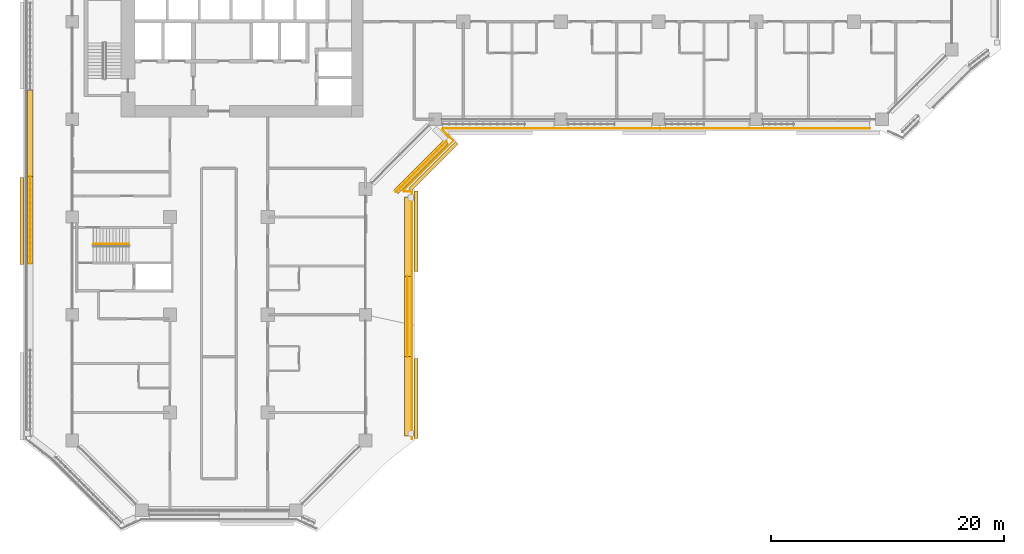
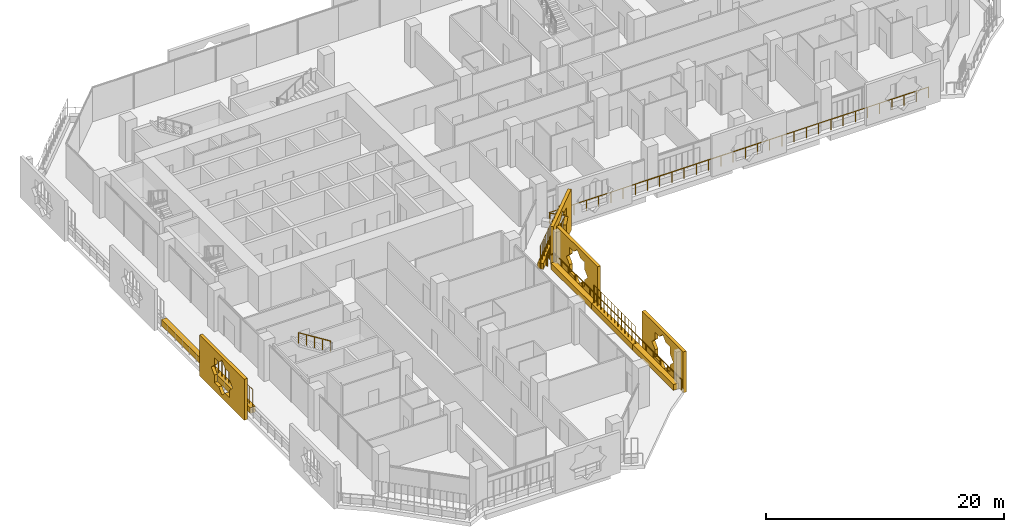
# One storey, part 20 of 26: 10 coverings, 5 railings.
"""IFC4 building model written with IfcOpenShell, lengths in metres."""

from ifc_helpers import new_model, si_unit, direction, frame, origin, origin_2d, place, context, subcontext, project, spatial, polyline, rectangle, circle, outline, extrude, material, material_profile, profile_set, type_object, element, save


model = new_model("IFC4")

# Units and contexts
model_context = context("Model", 3, precision=1e-05, world=origin(), true_north=direction((0.0, 1.0)))
body_context = subcontext(model_context, "Body", "Model", "MODEL_VIEW")
ifc_project = project(units=[si_unit("LENGTHUNIT", "METRE"), si_unit("AREAUNIT", "SQUARE_METRE"), si_unit("VOLUMEUNIT", "CUBIC_METRE"), si_unit("PLANEANGLEUNIT", "RADIAN"), si_unit("MASSUNIT", "GRAM", prefix="KILO")], contexts=[model_context])

# Site, building, storey
site_placement = place(None, origin())
site = spatial("IfcSite", under=ifc_project, at=site_placement, CompositionType="ELEMENT")
building_placement = place(site_placement, origin())
building = spatial("IfcBuilding", under=site, at=building_placement, Name="Kawkab Arch Medical Tower", CompositionType="ELEMENT")
storey_placement = place(building_placement, frame((0.0, 0.0, 119.800048828125)))
storey = spatial("IfcBuildingStorey", under=building, at=storey_placement, Name="L27", CompositionType="ELEMENT", Elevation=119.800048828125)

# Railing
ifc_material_1 = material(Name="Bronze anodised aluminium guard", Category="aluminium")
railing_type_1 = type_object("IfcRailingType", Name="Loggia and terrace guard 1100", PredefinedType="GUARDRAIL", material=ifc_material_1)
railing_1_placement = place(storey_placement, frame((68.570068359375, -26.0, 0.0)))
element("IfcRailing", 1, at=railing_1_placement, inside=storey, type_object=railing_type_1, Name="Guard L27.LOG-01.1.8", PredefinedType="GUARDRAIL", context=body_context, shape_type="SweptSolid", body=[
    extrude(circle(Radius=0.02392578125, at=origin_2d()), frame((0.0, 0.0, 1.076171875), z_axis=(-1.0, 0.0, 0.0), x_axis=(0.0, -1.0, 0.0)), (0.0, 0.0, 1.0), 36.719970703125),
    extrude(circle(Radius=0.02392578125, at=origin_2d()), frame((-36.719970703125, 0.0, 1.076171875), z_axis=(-0.383763674343, -0.923431341387, 0.0), x_axis=(0.923431341387, -0.383763674343, 0.0)), (0.0, 0.0, 1.0), 0.101806640625),
    extrude(circle(Radius=0.02392578125, at=origin_2d()), frame((-36.759033203125, -0.093994140625, 1.076171875), z_axis=(0.707015335112, -0.707198215437, 0.0), x_axis=(0.707198215437, 0.707015335112, 0.0)), (0.0, 0.0, 1.0), 1.3349609375),
    extrude(circle(Radius=0.02392578125, at=origin_2d()), frame((-35.815185546875, -1.0380859375, 1.076171875), z_axis=(-0.707025867263, -0.707187685852, 0.0), x_axis=(0.707187685852, -0.707025867263, 0.0)), (0.0, 0.0, 1.0), 6.034912109375),
    extrude(circle(Radius=0.02392578125, at=origin_2d()), frame((-40.08203125, -5.305908203125, 1.076171875), z_axis=(0.383763674343, -0.923431341387, 0.0), x_axis=(0.923431341387, 0.383763674343, 0.0)), (0.0, 0.0, 1.0), 0.101806640625),
    extrude(circle(Radius=0.02392578125, at=origin_2d()), frame((-40.04296875, -5.39990234375, 1.076171875), z_axis=(1.0, 0.0, 0.0), x_axis=(0.0, 1.0, 0.0)), (0.0, 0.0, 1.0), 0.6728515625),
    extrude(circle(Radius=0.02392578125, at=origin_2d()), frame((-39.3701171875, -5.39990234375, 1.076171875), z_axis=(0.0, -1.0, 0.0), x_axis=(1.0, 0.0, 0.0)), (0.0, 0.0, 1.0), 21.302001953125),
    extrude(circle(Radius=0.02099609375, at=origin_2d()), origin(), (0.0, 0.0, 1.0), 1.052001953125),
    extrude(circle(Radius=0.02099609375, at=origin_2d()), frame((-1.1845703125, 0.0, 0.0)), (0.0, 0.0, 1.0), 1.052001953125),
    extrude(circle(Radius=0.02099609375, at=origin_2d()), frame((-2.369140625, 0.0, 0.0)), (0.0, 0.0, 1.0), 1.052001953125),
    extrude(circle(Radius=0.02099609375, at=origin_2d()), frame((-3.553466796875, 0.0, 0.0)), (0.0, 0.0, 1.0), 1.052001953125),
    extrude(circle(Radius=0.02099609375, at=origin_2d()), frame((-4.738037109375, 0.0, 0.0)), (0.0, 0.0, 1.0), 1.052001953125),
    extrude(circle(Radius=0.02099609375, at=origin_2d()), frame((-5.922607421875, 0.0, 0.0)), (0.0, 0.0, 1.0), 1.052001953125),
    extrude(circle(Radius=0.02099609375, at=origin_2d()), frame((-7.107177734375, 0.0, 0.0)), (0.0, 0.0, 1.0), 1.052001953125),
    extrude(circle(Radius=0.02099609375, at=origin_2d()), frame((-8.29150390625, 0.0, 0.0)), (0.0, 0.0, 1.0), 1.052001953125),
    extrude(circle(Radius=0.02099609375, at=origin_2d()), frame((-9.47607421875, 0.0, 0.0)), (0.0, 0.0, 1.0), 1.052001953125),
    extrude(circle(Radius=0.02099609375, at=origin_2d()), frame((-10.66064453125, 0.0, 0.0)), (0.0, 0.0, 1.0), 1.052001953125),
    extrude(circle(Radius=0.02099609375, at=origin_2d()), frame((-11.84521484375, 0.0, 0.0)), (0.0, 0.0, 1.0), 1.052001953125),
    extrude(circle(Radius=0.02099609375, at=origin_2d()), frame((-13.02978515625, 0.0, 0.0)), (0.0, 0.0, 1.0), 1.052001953125),
    extrude(circle(Radius=0.02099609375, at=origin_2d()), frame((-14.214111328125, 0.0, 0.0)), (0.0, 0.0, 1.0), 1.052001953125),
    extrude(circle(Radius=0.02099609375, at=origin_2d()), frame((-15.398681640625, 0.0, 0.0)), (0.0, 0.0, 1.0), 1.052001953125),
    extrude(circle(Radius=0.02099609375, at=origin_2d()), frame((-16.583251953125, 0.0, 0.0)), (0.0, 0.0, 1.0), 1.052001953125),
    extrude(circle(Radius=0.02099609375, at=origin_2d()), frame((-17.767822265625, 0.0, 0.0)), (0.0, 0.0, 1.0), 1.052001953125),
    extrude(circle(Radius=0.02099609375, at=origin_2d()), frame((-18.9521484375, 0.0, 0.0)), (0.0, 0.0, 1.0), 1.052001953125),
    extrude(circle(Radius=0.02099609375, at=origin_2d()), frame((-20.13671875, 0.0, 0.0)), (0.0, 0.0, 1.0), 1.052001953125),
    extrude(circle(Radius=0.02099609375, at=origin_2d()), frame((-21.3212890625, 0.0, 0.0)), (0.0, 0.0, 1.0), 1.052001953125),
    extrude(circle(Radius=0.02099609375, at=origin_2d()), frame((-22.505859375, 0.0, 0.0)), (0.0, 0.0, 1.0), 1.052001953125),
    extrude(circle(Radius=0.02099609375, at=origin_2d()), frame((-23.690185546875, 0.0, 0.0)), (0.0, 0.0, 1.0), 1.052001953125),
    extrude(circle(Radius=0.02099609375, at=origin_2d()), frame((-24.874755859375, 0.0, 0.0)), (0.0, 0.0, 1.0), 1.052001953125),
    extrude(circle(Radius=0.02099609375, at=origin_2d()), frame((-26.059326171875, 0.0, 0.0)), (0.0, 0.0, 1.0), 1.052001953125),
    extrude(circle(Radius=0.02099609375, at=origin_2d()), frame((-27.243896484375, 0.0, 0.0)), (0.0, 0.0, 1.0), 1.052001953125),
    extrude(circle(Radius=0.02099609375, at=origin_2d()), frame((-28.428466796875, 0.0, 0.0)), (0.0, 0.0, 1.0), 1.052001953125),
    extrude(circle(Radius=0.02099609375, at=origin_2d()), frame((-29.61279296875, 0.0, 0.0)), (0.0, 0.0, 1.0), 1.052001953125),
    extrude(circle(Radius=0.02099609375, at=origin_2d()), frame((-30.79736328125, 0.0, 0.0)), (0.0, 0.0, 1.0), 1.052001953125),
    extrude(circle(Radius=0.02099609375, at=origin_2d()), frame((-31.98193359375, 0.0, 0.0)), (0.0, 0.0, 1.0), 1.052001953125),
    extrude(circle(Radius=0.02099609375, at=origin_2d()), frame((-33.16650390625, 0.0, 0.0)), (0.0, 0.0, 1.0), 1.052001953125),
    extrude(circle(Radius=0.02099609375, at=origin_2d()), frame((-34.350830078125, 0.0, 0.0)), (0.0, 0.0, 1.0), 1.052001953125),
    extrude(circle(Radius=0.02099609375, at=origin_2d()), frame((-35.535400390625, 0.0, 0.0)), (0.0, 0.0, 1.0), 1.052001953125),
    extrude(circle(Radius=0.02099609375, at=origin_2d()), frame((-36.719970703125, 0.0, 0.0)), (0.0, 0.0, 1.0), 1.052001953125),
    extrude(circle(Radius=0.02099609375, at=origin_2d()), frame((-36.759033203125, -0.093994140625, 0.0)), (0.0, 0.0, 1.0), 1.052001953125),
    extrude(circle(Radius=0.02099609375, at=origin_2d()), frame((-36.287109375, -0.56591796875, 0.0)), (0.0, 0.0, 1.0), 1.052001953125),
    extrude(circle(Radius=0.02099609375, at=origin_2d()), frame((-35.815185546875, -1.0380859375, 0.0)), (0.0, 0.0, 1.0), 1.052001953125),
    extrude(circle(Radius=0.02099609375, at=origin_2d()), frame((-36.5263671875, -1.74951171875, 0.0)), (0.0, 0.0, 1.0), 1.052001953125),
    extrude(circle(Radius=0.02099609375, at=origin_2d()), frame((-37.237548828125, -2.460693359375, 0.0)), (0.0, 0.0, 1.0), 1.052001953125),
    extrude(circle(Radius=0.02099609375, at=origin_2d()), frame((-37.94873046875, -3.171875, 0.0)), (0.0, 0.0, 1.0), 1.052001953125),
    extrude(circle(Radius=0.02099609375, at=origin_2d()), frame((-38.65966796875, -3.88330078125, 0.0)), (0.0, 0.0, 1.0), 1.052001953125),
    extrude(circle(Radius=0.02099609375, at=origin_2d()), frame((-39.370849609375, -4.5947265625, 0.0)), (0.0, 0.0, 1.0), 1.052001953125),
    extrude(circle(Radius=0.02099609375, at=origin_2d()), frame((-40.08203125, -5.305908203125, 0.0)), (0.0, 0.0, 1.0), 1.052001953125),
    extrude(circle(Radius=0.02099609375, at=origin_2d()), frame((-40.04296875, -5.39990234375, 0.0)), (0.0, 0.0, 1.0), 1.052001953125),
    extrude(circle(Radius=0.02099609375, at=origin_2d()), frame((-39.3701171875, -5.39990234375, 0.0)), (0.0, 0.0, 1.0), 1.052001953125),
    extrude(circle(Radius=0.02099609375, at=origin_2d()), frame((-39.3701171875, -6.583251953125, 0.0)), (0.0, 0.0, 1.0), 1.052001953125),
    extrude(circle(Radius=0.02099609375, at=origin_2d()), frame((-39.3701171875, -7.766845703125, 0.0)), (0.0, 0.0, 1.0), 1.052001953125),
    extrude(circle(Radius=0.02099609375, at=origin_2d()), frame((-39.3701171875, -8.9501953125, 0.0)), (0.0, 0.0, 1.0), 1.052001953125),
    extrude(circle(Radius=0.02099609375, at=origin_2d()), frame((-39.3701171875, -10.1337890625, 0.0)), (0.0, 0.0, 1.0), 1.052001953125),
    extrude(circle(Radius=0.02099609375, at=origin_2d()), frame((-39.3701171875, -11.317138671875, 0.0)), (0.0, 0.0, 1.0), 1.052001953125),
    extrude(circle(Radius=0.02099609375, at=origin_2d()), frame((-39.3701171875, -12.50048828125, 0.0)), (0.0, 0.0, 1.0), 1.052001953125),
    extrude(circle(Radius=0.02099609375, at=origin_2d()), frame((-39.3701171875, -13.68408203125, 0.0)), (0.0, 0.0, 1.0), 1.052001953125),
    extrude(circle(Radius=0.02099609375, at=origin_2d()), frame((-39.3701171875, -14.867431640625, 0.0)), (0.0, 0.0, 1.0), 1.052001953125),
    extrude(circle(Radius=0.02099609375, at=origin_2d()), frame((-39.3701171875, -16.05078125, 0.0)), (0.0, 0.0, 1.0), 1.052001953125),
    extrude(circle(Radius=0.02099609375, at=origin_2d()), frame((-39.3701171875, -17.234375, 0.0)), (0.0, 0.0, 1.0), 1.052001953125),
    extrude(circle(Radius=0.02099609375, at=origin_2d()), frame((-39.3701171875, -18.417724609375, 0.0)), (0.0, 0.0, 1.0), 1.052001953125),
    extrude(circle(Radius=0.02099609375, at=origin_2d()), frame((-39.3701171875, -19.601318359375, 0.0)), (0.0, 0.0, 1.0), 1.052001953125),
    extrude(circle(Radius=0.02099609375, at=origin_2d()), frame((-39.3701171875, -20.78466796875, 0.0)), (0.0, 0.0, 1.0), 1.052001953125),
    extrude(circle(Radius=0.02099609375, at=origin_2d()), frame((-39.3701171875, -21.968017578125, 0.0)), (0.0, 0.0, 1.0), 1.052001953125),
    extrude(circle(Radius=0.02099609375, at=origin_2d()), frame((-39.3701171875, -23.151611328125, 0.0)), (0.0, 0.0, 1.0), 1.052001953125),
    extrude(circle(Radius=0.02099609375, at=origin_2d()), frame((-39.3701171875, -24.3349609375, 0.0)), (0.0, 0.0, 1.0), 1.052001953125),
    extrude(circle(Radius=0.02099609375, at=origin_2d()), frame((-39.3701171875, -25.5185546875, 0.0)), (0.0, 0.0, 1.0), 1.052001953125),
    extrude(circle(Radius=0.02099609375, at=origin_2d()), frame((-39.3701171875, -26.701904296875, 0.0)), (0.0, 0.0, 1.0), 1.052001953125),
])

# Coverings
ifc_material_2 = material(Name="Bronze anodised aluminium mashrabiya panel, eight-point star pattern", Category="aluminium")
ifc_material_profile_1 = material_profile(ifc_material_2, outline(polyline([(-2.85009765625, -2.10009765625), (2.85009765625, -2.10009765625), (2.85009765625, 2.10009765625), (-2.85009765625, 2.10009765625), (-2.85009765625, -2.10009765625)]), holes=[polyline([(1.800048828125, 0.0), (1.272705078125, 0.527099609375), (1.272705078125, 1.272705078125), (0.527099609375, 1.272705078125), (0.0, 1.800048828125), (-0.527099609375, 1.272705078125), (-1.272705078125, 1.272705078125), (-1.272705078125, 0.527099609375), (-1.800048828125, 0.0), (-1.272705078125, -0.527099609375), (-1.272705078125, -1.272705078125), (-0.527099609375, -1.272705078125), (0.0, -1.800048828125), (0.527099609375, -1.272705078125), (1.272705078125, -1.272705078125), (1.272705078125, -0.527099609375), (1.800048828125, 0.0)])]), Name="Mashrabiya panel 5700x4200")
ifc_profile_set_1 = profile_set([ifc_material_profile_1], Name="Bronze anodised aluminium mashrabiya panel, eight-point star pattern")
covering_type_1 = type_object("IfcCoveringType", Name="Mashrabiya panel 5700 x 4200", PredefinedType="USERDEFINED", material=ifc_profile_set_1)
covering_1_placement = place(storey_placement, frame((30.94775390625, -29.128662109375, 1.699951171875), z_axis=(0.707106781187, -0.707106781187, 0.0), x_axis=(0.707106781187, 0.707106781187, 0.0)))
element("IfcCovering", 2, at=covering_1_placement, inside=storey, type_object=covering_type_1, Name="Mashrabiya panel L27.LOG-01-01.14", ObjectType="SCREEN", PredefinedType="USERDEFINED", context=body_context, shape_type="SweptSolid", body=[
    extrude(outline(polyline([(-2.85009765625, -2.10009765625), (2.85009765625, -2.10009765625), (2.85009765625, 2.10009765625), (-2.85009765625, 2.10009765625), (-2.85009765625, -2.10009765625)]), holes=[polyline([(1.800048828125, 0.0), (1.272705078125, 0.527099609375), (1.272705078125, 1.272705078125), (0.527099609375, 1.272705078125), (0.0, 1.800048828125), (-0.527099609375, 1.272705078125), (-1.272705078125, 1.272705078125), (-1.272705078125, 0.527099609375), (-1.800048828125, 0.0), (-1.272705078125, -0.527099609375), (-1.272705078125, -1.272705078125), (-0.527099609375, -1.272705078125), (0.0, -1.800048828125), (0.527099609375, -1.272705078125), (1.272705078125, -1.272705078125), (1.272705078125, -0.527099609375), (1.800048828125, 0.0)])]), origin(), (0.0, 0.0, 1.0), 0.300048828125),
])
ifc_material_3 = material(Name="Bronze anodised aluminium mashrabiya panel, eight-point star pattern", Category="aluminium")
ifc_material_profile_2 = material_profile(ifc_material_3, outline(polyline([(-3.449951171875, -2.10009765625), (3.449951171875, -2.10009765625), (3.449951171875, 2.10009765625), (-3.449951171875, 2.10009765625), (-3.449951171875, -2.10009765625)]), holes=[polyline([(1.800048828125, 0.0), (1.272705078125, 0.527099609375), (1.272705078125, 1.272705078125), (0.527099609375, 1.272705078125), (0.0, 1.800048828125), (-0.527099609375, 1.272705078125), (-1.272705078125, 1.272705078125), (-1.272705078125, 0.527099609375), (-1.800048828125, 0.0), (-1.272705078125, -0.527099609375), (-1.272705078125, -1.272705078125), (-0.527099609375, -1.272705078125), (0.0, -1.800048828125), (0.527099609375, -1.272705078125), (1.272705078125, -1.272705078125), (1.272705078125, -0.527099609375), (1.800048828125, 0.0)])]), Name="Mashrabiya panel 6900x4200")
ifc_profile_set_2 = profile_set([ifc_material_profile_2], Name="Bronze anodised aluminium mashrabiya panel, eight-point star pattern")
covering_type_2 = type_object("IfcCoveringType", Name="Mashrabiya panel 6900 x 4200", PredefinedType="USERDEFINED", material=ifc_profile_set_2)
for number, where, z_axis, x_axis, name in (
    (3, (29.39990234375, -34.827392578125, 1.699951171875), (1.0, 0.0, 0.0), (0.0, 1.0, 0.0), "Mashrabiya panel L27.LOG-01-01.15"),
    (4, (29.39990234375, -49.197509765625, 1.699951171875), (1.0, 0.0, 0.0), (0.0, 1.0, 0.0), "Mashrabiya panel L27.LOG-01-01.16"),
):
    element("IfcCovering", number, at=place(storey_placement, frame(where, z_axis=z_axis, x_axis=x_axis)), inside=storey, type_object=covering_type_2, Name=name, ObjectType="SCREEN", PredefinedType="USERDEFINED", context=body_context, shape_type="SweptSolid", body=[
        extrude(outline(polyline([(-3.449951171875, -2.10009765625), (3.449951171875, -2.10009765625), (3.449951171875, 2.10009765625), (-3.449951171875, 2.10009765625), (-3.449951171875, -2.10009765625)]), holes=[polyline([(1.800048828125, 0.0), (1.272705078125, 0.527099609375), (1.272705078125, 1.272705078125), (0.527099609375, 1.272705078125), (0.0, 1.800048828125), (-0.527099609375, 1.272705078125), (-1.272705078125, 1.272705078125), (-1.272705078125, 0.527099609375), (-1.800048828125, 0.0), (-1.272705078125, -0.527099609375), (-1.272705078125, -1.272705078125), (-0.527099609375, -1.272705078125), (0.0, -1.800048828125), (0.527099609375, -1.272705078125), (1.272705078125, -1.272705078125), (1.272705078125, -0.527099609375), (1.800048828125, 0.0)])]), origin(), (0.0, 0.0, 1.0), 0.300048828125),
    ])
ifc_material_4 = material(Name="Bronze anodised aluminium mashrabiya panel, eight-point star pattern", Category="aluminium")
ifc_material_profile_3 = material_profile(ifc_material_4, outline(polyline([(-3.75, -2.10009765625), (3.75, -2.10009765625), (3.75, 2.10009765625), (-3.75, 2.10009765625), (-3.75, -2.10009765625)]), holes=[polyline([(1.800048828125, 0.0), (1.272705078125, 0.527099609375), (1.272705078125, 1.272705078125), (0.527099609375, 1.272705078125), (0.0, 1.800048828125), (-0.527099609375, 1.272705078125), (-1.272705078125, 1.272705078125), (-1.272705078125, 0.527099609375), (-1.800048828125, 0.0), (-1.272705078125, -0.527099609375), (-1.272705078125, -1.272705078125), (-0.527099609375, -1.272705078125), (0.0, -1.800048828125), (0.527099609375, -1.272705078125), (1.272705078125, -1.272705078125), (1.272705078125, -0.527099609375), (1.800048828125, 0.0)])]), Name="Mashrabiya panel 7500x4200")
ifc_profile_set_3 = profile_set([ifc_material_profile_3], Name="Bronze anodised aluminium mashrabiya panel, eight-point star pattern")
covering_type_3 = type_object("IfcCoveringType", Name="Mashrabiya panel 7500 x 4200", PredefinedType="USERDEFINED", material=ifc_profile_set_3)
covering_2_placement = place(storey_placement, frame((-4.199951171875, -33.94140625, 1.699951171875), z_axis=(-1.0, 0.0, 0.0), x_axis=(0.0, -1.0, 0.0)))
element("IfcCovering", 5, at=covering_2_placement, inside=storey, type_object=covering_type_3, Name="Mashrabiya panel L27.LOG-01-01.3", ObjectType="SCREEN", PredefinedType="USERDEFINED", context=body_context, shape_type="SweptSolid", body=[
    extrude(outline(polyline([(-3.75, -2.10009765625), (3.75, -2.10009765625), (3.75, 2.10009765625), (-3.75, 2.10009765625), (-3.75, -2.10009765625)]), holes=[polyline([(1.800048828125, 0.0), (1.272705078125, 0.527099609375), (1.272705078125, 1.272705078125), (0.527099609375, 1.272705078125), (0.0, 1.800048828125), (-0.527099609375, 1.272705078125), (-1.272705078125, 1.272705078125), (-1.272705078125, 0.527099609375), (-1.800048828125, 0.0), (-1.272705078125, -0.527099609375), (-1.272705078125, -1.272705078125), (-0.527099609375, -1.272705078125), (0.0, -1.800048828125), (0.527099609375, -1.272705078125), (1.272705078125, -1.272705078125), (1.272705078125, -0.527099609375), (1.800048828125, 0.0)])]), origin(), (0.0, 0.0, 1.0), 0.300048828125),
])
ifc_material_5 = material(Name="Planting soil in a precast trough", Category="concrete")
ifc_material_profile_4 = material_profile(ifc_material_5, rectangle(XDim=0.5, YDim=0.60009765625, at=origin_2d()), Name="Trough 500x600")
ifc_profile_set_4 = profile_set([ifc_material_profile_4], Name="Planting soil in a precast trough")
covering_type_4 = type_object("IfcCoveringType", Name="Planter trough 500 x 600", PredefinedType="USERDEFINED", material=ifc_profile_set_4)
covering_3_placement = place(storey_placement, frame((-3.6201171875, -37.593017578125, 0.300048828125), z_axis=(0.0, 1.0, 0.0), x_axis=(-1.0, 0.0, 0.0)))
element("IfcCovering", 6, at=covering_3_placement, inside=storey, type_object=covering_type_4, Name="Planter L27.LOG-01-01.9", ObjectType="PLANTER", PredefinedType="USERDEFINED", context=body_context, shape_type="SweptSolid", body=[
    extrude(rectangle(XDim=0.5, YDim=0.60009765625, at=origin_2d()), origin(), (0.0, 0.0, 1.0), 7.4619140625),
])
covering_4_placement = place(storey_placement, frame((-3.6201171875, -30.131103515625, 0.300048828125), z_axis=(0.0, 1.0, 0.0), x_axis=(-1.0, 0.0, 0.0)))
element("IfcCovering", 7, at=covering_4_placement, inside=storey, type_object=covering_type_4, Name="Planter L27.LOG-01-01.10", ObjectType="PLANTER", PredefinedType="USERDEFINED", context=body_context, shape_type="SweptSolid", body=[
    extrude(rectangle(XDim=0.5, YDim=0.60009765625, at=origin_2d()), origin(), (0.0, 0.0, 1.0), 7.462158203125),
])
covering_5_placement = place(storey_placement, frame((32.14697265625, -27.10888671875, 0.300048828125), z_axis=(-0.707007043994, -0.707206504313, 0.0), x_axis=(0.707206504313, -0.707007043994, 0.0)))
element("IfcCovering", 8, at=covering_5_placement, inside=storey, type_object=covering_type_4, Name="Planter L27.LOG-01-01.43", ObjectType="PLANTER", PredefinedType="USERDEFINED", context=body_context, shape_type="SweptSolid", body=[
    extrude(rectangle(XDim=0.5, YDim=0.60009765625, at=origin_2d()), origin(), (0.0, 0.0, 1.0), 6.1201171875),
])
covering_6_placement = place(storey_placement, frame((28.820068359375, -31.8798828125, 0.300048828125), z_axis=(0.0, -1.0, 0.0), x_axis=(1.0, 0.0, 0.0)))
element("IfcCovering", 9, at=covering_6_placement, inside=storey, type_object=covering_type_4, Name="Planter L27.LOG-01-01.44", ObjectType="PLANTER", PredefinedType="USERDEFINED", context=body_context, shape_type="SweptSolid", body=[
    extrude(rectangle(XDim=0.5, YDim=0.60009765625, at=origin_2d()), origin(), (0.0, 0.0, 1.0), 6.81201171875),
])
covering_7_placement = place(storey_placement, frame((28.820068359375, -38.69189453125, 0.300048828125), z_axis=(0.0, -1.0, 0.0), x_axis=(1.0, 0.0, 0.0)))
element("IfcCovering", 10, at=covering_7_placement, inside=storey, type_object=covering_type_4, Name="Planter L27.LOG-01-01.45", ObjectType="PLANTER", PredefinedType="USERDEFINED", context=body_context, shape_type="SweptSolid", body=[
    extrude(rectangle(XDim=0.5, YDim=0.60009765625, at=origin_2d()), origin(), (0.0, 0.0, 1.0), 6.912109375),
])
covering_8_placement = place(storey_placement, frame((28.820068359375, -45.60400390625, 0.300048828125), z_axis=(0.0, -1.0, 0.0), x_axis=(1.0, 0.0, 0.0)))
element("IfcCovering", 11, at=covering_8_placement, inside=storey, type_object=covering_type_4, Name="Planter L27.LOG-01-01.46", ObjectType="PLANTER", PredefinedType="USERDEFINED", context=body_context, shape_type="SweptSolid", body=[
    extrude(rectangle(XDim=0.5, YDim=0.60009765625, at=origin_2d()), origin(), (0.0, 0.0, 1.0), 6.81201171875),
])

# Railings
ifc_material_6 = material(Name="Bronze anodised aluminium trellis for climbing plants", Category="aluminium")
railing_type_2 = type_object("IfcRailingType", Name="Planting trellis 2400", PredefinedType="USERDEFINED", material=ifc_material_6)
railing_2_placement = place(storey_placement, frame((-3.6201171875, -37.593017578125, 0.0)))
element("IfcRailing", 12, at=railing_2_placement, inside=storey, type_object=railing_type_2, Name="Planting trellis L27.LOG-01-01.9", ObjectType="TRELLIS", PredefinedType="USERDEFINED", context=body_context, shape_type="SweptSolid", body=[
    extrude(circle(Radius=0.01513671875, at=origin_2d()), frame((0.0, 0.0, 2.384765625), z_axis=(0.0, 1.0, 0.0), x_axis=(-1.0, 0.0, 0.0)), (0.0, 0.0, 1.0), 7.4619140625),
    extrude(circle(Radius=0.030029296875, at=origin_2d()), origin(), (0.0, 0.0, 1.0), 2.369873046875),
    extrude(circle(Radius=0.030029296875, at=origin_2d()), frame((0.0, 0.573974609375, 0.0)), (0.0, 0.0, 1.0), 2.369873046875),
    extrude(circle(Radius=0.030029296875, at=origin_2d()), frame((0.0, 1.14794921875, 0.0)), (0.0, 0.0, 1.0), 2.369873046875),
    extrude(circle(Radius=0.030029296875, at=origin_2d()), frame((0.0, 1.721923828125, 0.0)), (0.0, 0.0, 1.0), 2.369873046875),
    extrude(circle(Radius=0.030029296875, at=origin_2d()), frame((0.0, 2.2958984375, 0.0)), (0.0, 0.0, 1.0), 2.369873046875),
    extrude(circle(Radius=0.030029296875, at=origin_2d()), frame((0.0, 2.869873046875, 0.0)), (0.0, 0.0, 1.0), 2.369873046875),
    extrude(circle(Radius=0.030029296875, at=origin_2d()), frame((0.0, 3.44384765625, 0.0)), (0.0, 0.0, 1.0), 2.369873046875),
    extrude(circle(Radius=0.030029296875, at=origin_2d()), frame((0.0, 4.01806640625, 0.0)), (0.0, 0.0, 1.0), 2.369873046875),
    extrude(circle(Radius=0.030029296875, at=origin_2d()), frame((0.0, 4.592041015625, 0.0)), (0.0, 0.0, 1.0), 2.369873046875),
    extrude(circle(Radius=0.030029296875, at=origin_2d()), frame((0.0, 5.166015625, 0.0)), (0.0, 0.0, 1.0), 2.369873046875),
    extrude(circle(Radius=0.030029296875, at=origin_2d()), frame((0.0, 5.739990234375, 0.0)), (0.0, 0.0, 1.0), 2.369873046875),
    extrude(circle(Radius=0.030029296875, at=origin_2d()), frame((0.0, 6.31396484375, 0.0)), (0.0, 0.0, 1.0), 2.369873046875),
    extrude(circle(Radius=0.030029296875, at=origin_2d()), frame((0.0, 6.887939453125, 0.0)), (0.0, 0.0, 1.0), 2.369873046875),
    extrude(circle(Radius=0.030029296875, at=origin_2d()), frame((0.0, 7.4619140625, 0.0)), (0.0, 0.0, 1.0), 2.369873046875),
])
railing_3_placement = place(storey_placement, frame((32.14697265625, -27.10888671875, 0.0)))
element("IfcRailing", 13, at=railing_3_placement, inside=storey, type_object=railing_type_2, Name="Planting trellis L27.LOG-01-01.43", ObjectType="TRELLIS", PredefinedType="USERDEFINED", context=body_context, shape_type="SweptSolid", body=[
    extrude(circle(Radius=0.01513671875, at=origin_2d()), frame((0.0, 0.0, 2.384765625), z_axis=(-0.707007043994, -0.707206504313, 0.0), x_axis=(0.707206504313, -0.707007043994, 0.0)), (0.0, 0.0, 1.0), 6.1201171875),
    extrude(circle(Radius=0.030029296875, at=origin_2d()), origin(), (0.0, 0.0, 1.0), 2.369873046875),
    extrude(circle(Radius=0.030029296875, at=origin_2d()), frame((-0.393310546875, -0.3935546875, 0.0)), (0.0, 0.0, 1.0), 2.369873046875),
    extrude(circle(Radius=0.030029296875, at=origin_2d()), frame((-0.78662109375, -0.786865234375, 0.0)), (0.0, 0.0, 1.0), 2.369873046875),
    extrude(circle(Radius=0.030029296875, at=origin_2d()), frame((-1.18017578125, -1.180419921875, 0.0)), (0.0, 0.0, 1.0), 2.369873046875),
    extrude(circle(Radius=0.030029296875, at=origin_2d()), frame((-1.573486328125, -1.573974609375, 0.0)), (0.0, 0.0, 1.0), 2.369873046875),
    extrude(circle(Radius=0.030029296875, at=origin_2d()), frame((-1.966796875, -1.96728515625, 0.0)), (0.0, 0.0, 1.0), 2.369873046875),
    extrude(circle(Radius=0.030029296875, at=origin_2d()), frame((-2.360107421875, -2.36083984375, 0.0)), (0.0, 0.0, 1.0), 2.369873046875),
    extrude(circle(Radius=0.030029296875, at=origin_2d()), frame((-2.75341796875, -2.754150390625, 0.0)), (0.0, 0.0, 1.0), 2.369873046875),
    extrude(circle(Radius=0.030029296875, at=origin_2d()), frame((-3.146728515625, -3.147705078125, 0.0)), (0.0, 0.0, 1.0), 2.369873046875),
    extrude(circle(Radius=0.030029296875, at=origin_2d()), frame((-3.540283203125, -3.541259765625, 0.0)), (0.0, 0.0, 1.0), 2.369873046875),
    extrude(circle(Radius=0.030029296875, at=origin_2d()), frame((-3.93359375, -3.9345703125, 0.0)), (0.0, 0.0, 1.0), 2.369873046875),
    extrude(circle(Radius=0.030029296875, at=origin_2d()), frame((-4.326904296875, -4.328125, 0.0)), (0.0, 0.0, 1.0), 2.369873046875),
])
railing_4_placement = place(storey_placement, frame((28.820068359375, -38.69189453125, 0.0)))
element("IfcRailing", 14, at=railing_4_placement, inside=storey, type_object=railing_type_2, Name="Planting trellis L27.LOG-01-01.45", ObjectType="TRELLIS", PredefinedType="USERDEFINED", context=body_context, shape_type="SweptSolid", body=[
    extrude(circle(Radius=0.01513671875, at=origin_2d()), frame((0.0, 0.0, 2.384765625), z_axis=(0.0, -1.0, 0.0), x_axis=(1.0, 0.0, 0.0)), (0.0, 0.0, 1.0), 6.912109375),
    extrude(circle(Radius=0.030029296875, at=origin_2d()), origin(), (0.0, 0.0, 1.0), 2.369873046875),
    extrude(circle(Radius=0.030029296875, at=origin_2d()), frame((0.0, -0.575927734375, 0.0)), (0.0, 0.0, 1.0), 2.369873046875),
    extrude(circle(Radius=0.030029296875, at=origin_2d()), frame((0.0, -1.152099609375, 0.0)), (0.0, 0.0, 1.0), 2.369873046875),
    extrude(circle(Radius=0.030029296875, at=origin_2d()), frame((0.0, -1.72802734375, 0.0)), (0.0, 0.0, 1.0), 2.369873046875),
    extrude(circle(Radius=0.030029296875, at=origin_2d()), frame((0.0, -2.303955078125, 0.0)), (0.0, 0.0, 1.0), 2.369873046875),
    extrude(circle(Radius=0.030029296875, at=origin_2d()), frame((0.0, -2.880126953125, 0.0)), (0.0, 0.0, 1.0), 2.369873046875),
    extrude(circle(Radius=0.030029296875, at=origin_2d()), frame((0.0, -3.4560546875, 0.0)), (0.0, 0.0, 1.0), 2.369873046875),
    extrude(circle(Radius=0.030029296875, at=origin_2d()), frame((0.0, -4.031982421875, 0.0)), (0.0, 0.0, 1.0), 2.369873046875),
    extrude(circle(Radius=0.030029296875, at=origin_2d()), frame((0.0, -4.608154296875, 0.0)), (0.0, 0.0, 1.0), 2.369873046875),
    extrude(circle(Radius=0.030029296875, at=origin_2d()), frame((0.0, -5.18408203125, 0.0)), (0.0, 0.0, 1.0), 2.369873046875),
    extrude(circle(Radius=0.030029296875, at=origin_2d()), frame((0.0, -5.760009765625, 0.0)), (0.0, 0.0, 1.0), 2.369873046875),
    extrude(circle(Radius=0.030029296875, at=origin_2d()), frame((0.0, -6.336181640625, 0.0)), (0.0, 0.0, 1.0), 2.369873046875),
    extrude(circle(Radius=0.030029296875, at=origin_2d()), frame((0.0, -6.912109375, 0.0)), (0.0, 0.0, 1.0), 2.369873046875),
])
ifc_material_7 = material(Name="Stainless steel", Category="steel")
railing_type_3 = type_object("IfcRailingType", Name="Stair guard 1100", PredefinedType="GUARDRAIL", material=ifc_material_7)
railing_5_placement = place(storey_placement, frame((4.8798828125, -35.89990234375, 2.27490234375)))
element("IfcRailing", 15, at=railing_5_placement, inside=storey, type_object=railing_type_3, Name="L27 ST6 stair guard 3", PredefinedType="GUARDRAIL", context=body_context, shape_type="SweptSolid", body=[
    extrude(circle(Radius=0.02392578125, at=origin_2d()), frame((0.0, 0.0, 1.076171875), z_axis=(-0.847979421464, 0.0, 0.530029150871), x_axis=(0.0, -1.0, 0.0)), (0.0, 0.0, 1.0), 3.632080078125),
    extrude(circle(Radius=0.02099609375, at=origin_2d()), origin(), (0.0, 0.0, 1.0), 1.052001953125),
    extrude(circle(Radius=0.02099609375, at=origin_2d()), frame((-0.77001953125, 0.0, 0.481201171875)), (0.0, 0.0, 1.0), 1.052001953125),
    extrude(circle(Radius=0.02099609375, at=origin_2d()), frame((-1.5400390625, 0.0, 0.96240234375)), (0.0, 0.0, 1.0), 1.052001953125),
    extrude(circle(Radius=0.02099609375, at=origin_2d()), frame((-2.309814453125, 0.0, 1.44384765625)), (0.0, 0.0, 1.0), 1.052001953125),
    extrude(circle(Radius=0.02099609375, at=origin_2d()), frame((-3.079833984375, 0.0, 1.925048828125)), (0.0, 0.0, 1.0), 1.052001953125),
])

save(model, "model.ifc")
